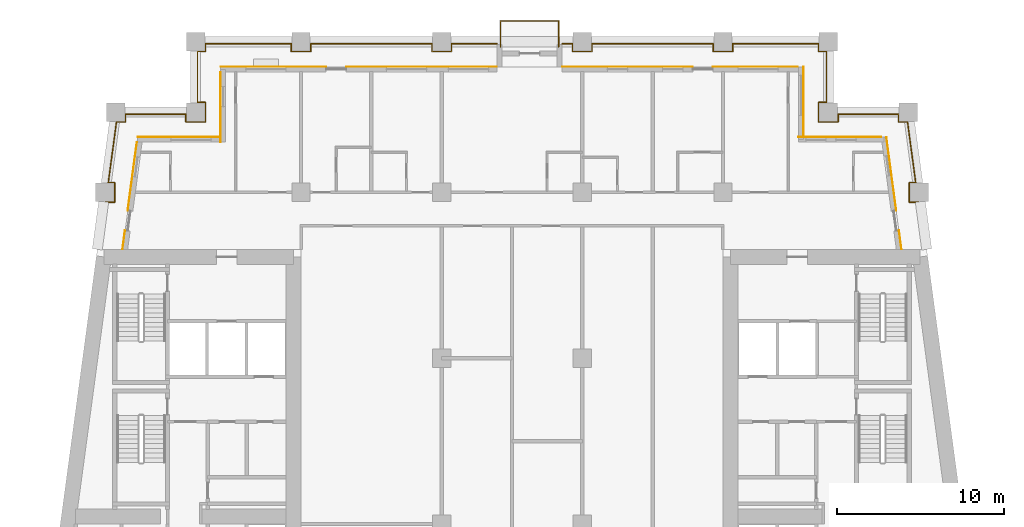
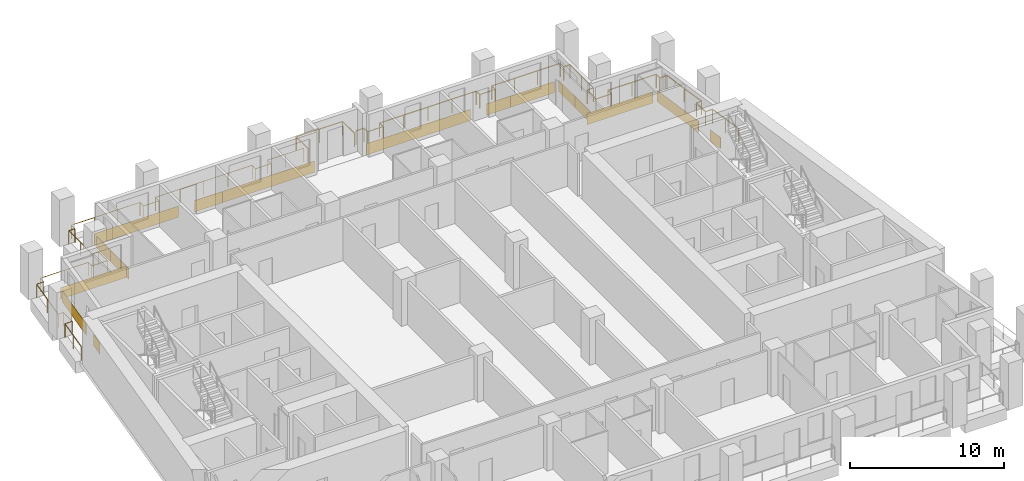
# One storey, part 12 of 13: 16 coverings, 3 railings.
"""IFC4 building model written with IfcOpenShell, lengths in metres."""

from ifc_helpers import new_model, si_unit, direction, frame, origin, origin_2d, place, context, subcontext, project, spatial, rectangle, circle, extrude, material, layer, layer_set, type_object, element, save


model = new_model("IFC4")

# Units and contexts
model_context = context("Model", 3, precision=1e-05, world=origin(), true_north=direction((0.0, 1.0)))
body_context = subcontext(model_context, "Body", "Model", "MODEL_VIEW")
ifc_project = project(units=[si_unit("LENGTHUNIT", "METRE"), si_unit("AREAUNIT", "SQUARE_METRE"), si_unit("VOLUMEUNIT", "CUBIC_METRE"), si_unit("PLANEANGLEUNIT", "RADIAN"), si_unit("MASSUNIT", "GRAM", prefix="KILO")], contexts=[model_context])

# Site, building, storey
site_placement = place(None, origin())
site = spatial("IfcSite", under=ifc_project, at=site_placement, CompositionType="ELEMENT")
building_placement = place(site_placement, origin())
building = spatial("IfcBuilding", under=site, at=building_placement, Name="Candeia Pilgrim Tower and Theatre", CompositionType="ELEMENT")
storey_placement = place(building_placement, frame((0.0, 0.0, 158.89990234375)))
storey = spatial("IfcBuildingStorey", under=building, at=storey_placement, Name="L37", CompositionType="ELEMENT", Elevation=158.89990234375)

# Railings
ifc_material_1 = material(Name="Stainless steel balustrade", Category="steel")
railing_type = type_object("IfcRailingType", Name="G1 loggia guard 1100", PredefinedType="GUARDRAIL", material=ifc_material_1)
railing_1_placement = place(storey_placement, frame((88.758544921875, 132.449951171875, 0.0)))
element("IfcRailing", 1, at=railing_1_placement, inside=storey, type_object=railing_type, Name="Guard L37.2", PredefinedType="GUARDRAIL", context=body_context, shape_type="SweptSolid", body=[
    extrude(circle(Radius=0.02392578125, at=origin_2d()), frame((0.0, 0.0, 1.076171875), z_axis=(0.133382313969, 0.991064659001, 0.0), x_axis=(-0.991064659001, 0.133382313969, 0.0)), (0.0, 0.0, 1.0), 2.794921875),
    extrude(circle(Radius=0.02392578125, at=origin_2d()), frame((0.372802734375, 2.77001953125, 1.076171875), z_axis=(1.0, 0.0, 0.0), x_axis=(0.0, 1.0, 0.0)), (0.0, 0.0, 1.0), 0.537109375),
    extrude(circle(Radius=0.02392578125, at=origin_2d()), frame((0.909912109375, 2.77001953125, 1.076171875), z_axis=(0.0, 1.0, 0.0), x_axis=(-1.0, 0.0, 0.0)), (0.0, 0.0, 1.0), 1.159912109375),
    extrude(circle(Radius=0.02392578125, at=origin_2d()), frame((0.909912109375, 3.929931640625, 1.076171875), z_axis=(-1.0, 0.0, 0.0), x_axis=(0.0, -1.0, 0.0)), (0.0, 0.0, 1.0), 0.380859375),
    extrude(circle(Radius=0.02392578125, at=origin_2d()), frame((0.529052734375, 3.929931640625, 1.076171875), z_axis=(0.133404479078, 0.99106167566, 0.0), x_axis=(-0.99106167566, 0.133404479078, 0.0)), (0.0, 0.0, 1.0), 3.6728515625),
    extrude(circle(Radius=0.02392578125, at=origin_2d()), frame((1.01904296875, 7.570068359375, 1.076171875), z_axis=(1.0, 0.0, 0.0), x_axis=(0.0, 1.0, 0.0)), (0.0, 0.0, 1.0), 0.537109375),
    extrude(circle(Radius=0.02392578125, at=origin_2d()), frame((1.55615234375, 7.570068359375, 1.076171875), z_axis=(0.0, 1.0, 0.0), x_axis=(-1.0, 0.0, 0.0)), (0.0, 0.0, 1.0), 0.4599609375),
    extrude(circle(Radius=0.02392578125, at=origin_2d()), frame((1.55615234375, 8.030029296875, 1.076171875), z_axis=(1.0, 0.0, 0.0), x_axis=(0.0, 1.0, 0.0)), (0.0, 0.0, 1.0), 3.605224609375),
    extrude(circle(Radius=0.02392578125, at=origin_2d()), frame((5.161376953125, 8.030029296875, 1.076171875), z_axis=(0.0, -1.0, 0.0), x_axis=(1.0, 0.0, 0.0)), (0.0, 0.0, 1.0), 0.4599609375),
    extrude(circle(Radius=0.02392578125, at=origin_2d()), frame((5.161376953125, 7.570068359375, 1.076171875), z_axis=(1.0, 0.0, 0.0), x_axis=(0.0, 1.0, 0.0)), (0.0, 0.0, 1.0), 1.16015625),
    extrude(circle(Radius=0.02392578125, at=origin_2d()), frame((6.321533203125, 7.570068359375, 1.076171875), z_axis=(0.0, 1.0, 0.0), x_axis=(-1.0, 0.0, 0.0)), (0.0, 0.0, 1.0), 1.159912109375),
    extrude(circle(Radius=0.02392578125, at=origin_2d()), frame((6.321533203125, 8.72998046875, 1.076171875), z_axis=(-1.0, 0.0, 0.0), x_axis=(0.0, -1.0, 0.0)), (0.0, 0.0, 1.0), 0.4599609375),
    extrude(circle(Radius=0.02392578125, at=origin_2d()), frame((5.861572265625, 8.72998046875, 1.076171875), z_axis=(0.0, 1.0, 0.0), x_axis=(-1.0, 0.0, 0.0)), (0.0, 0.0, 1.0), 3.0400390625),
    extrude(circle(Radius=0.02392578125, at=origin_2d()), frame((5.861572265625, 11.77001953125, 1.076171875), z_axis=(1.0, 0.0, 0.0), x_axis=(0.0, 1.0, 0.0)), (0.0, 0.0, 1.0), 0.4599609375),
    extrude(circle(Radius=0.02392578125, at=origin_2d()), frame((6.321533203125, 11.77001953125, 1.076171875), z_axis=(0.0, 1.0, 0.0), x_axis=(-1.0, 0.0, 0.0)), (0.0, 0.0, 1.0), 0.4599609375),
    extrude(circle(Radius=0.02392578125, at=origin_2d()), frame((6.321533203125, 12.22998046875, 1.076171875), z_axis=(1.0, 0.0, 0.0), x_axis=(0.0, 1.0, 0.0)), (0.0, 0.0, 1.0), 5.139892578125),
    extrude(circle(Radius=0.02392578125, at=origin_2d()), frame((11.46142578125, 12.22998046875, 1.076171875), z_axis=(0.0, -1.0, 0.0), x_axis=(1.0, 0.0, 0.0)), (0.0, 0.0, 1.0), 0.4599609375),
    extrude(circle(Radius=0.02392578125, at=origin_2d()), frame((11.46142578125, 11.77001953125, 1.076171875), z_axis=(1.0, 0.0, 0.0), x_axis=(0.0, 1.0, 0.0)), (0.0, 0.0, 1.0), 1.159912109375),
    extrude(circle(Radius=0.02392578125, at=origin_2d()), frame((12.621337890625, 11.77001953125, 1.076171875), z_axis=(0.0, 1.0, 0.0), x_axis=(-1.0, 0.0, 0.0)), (0.0, 0.0, 1.0), 0.4599609375),
    extrude(circle(Radius=0.02392578125, at=origin_2d()), frame((12.621337890625, 12.22998046875, 1.076171875), z_axis=(1.0, 0.0, 0.0), x_axis=(0.0, 1.0, 0.0)), (0.0, 0.0, 1.0), 7.240234375),
    extrude(circle(Radius=0.02392578125, at=origin_2d()), frame((19.861572265625, 12.22998046875, 1.076171875), z_axis=(0.0, -1.0, 0.0), x_axis=(1.0, 0.0, 0.0)), (0.0, 0.0, 1.0), 0.4599609375),
    extrude(circle(Radius=0.02392578125, at=origin_2d()), frame((19.861572265625, 11.77001953125, 1.076171875), z_axis=(1.0, 0.0, 0.0), x_axis=(0.0, 1.0, 0.0)), (0.0, 0.0, 1.0), 1.159912109375),
    extrude(circle(Radius=0.02392578125, at=origin_2d()), frame((21.021484375, 11.77001953125, 1.076171875), z_axis=(0.0, 1.0, 0.0), x_axis=(-1.0, 0.0, 0.0)), (0.0, 0.0, 1.0), 0.4599609375),
    extrude(circle(Radius=0.02392578125, at=origin_2d()), frame((21.021484375, 12.22998046875, 1.076171875), z_axis=(1.0, 0.0, 0.0), x_axis=(0.0, 1.0, 0.0)), (0.0, 0.0, 1.0), 2.719970703125),
    extrude(circle(Radius=0.02099609375, at=origin_2d()), origin(), (0.0, 0.0, 1.0), 1.052001953125),
    extrude(circle(Radius=0.02099609375, at=origin_2d()), frame((0.1865234375, 1.385009765625, 0.0)), (0.0, 0.0, 1.0), 1.052001953125),
    extrude(circle(Radius=0.02099609375, at=origin_2d()), frame((0.372802734375, 2.77001953125, 0.0)), (0.0, 0.0, 1.0), 1.052001953125),
    extrude(circle(Radius=0.02099609375, at=origin_2d()), frame((0.909912109375, 2.77001953125, 0.0)), (0.0, 0.0, 1.0), 1.052001953125),
    extrude(circle(Radius=0.02099609375, at=origin_2d()), frame((0.909912109375, 3.929931640625, 0.0)), (0.0, 0.0, 1.0), 1.052001953125),
    extrude(circle(Radius=0.02099609375, at=origin_2d()), frame((0.529052734375, 3.929931640625, 0.0)), (0.0, 0.0, 1.0), 1.052001953125),
    extrude(circle(Radius=0.02099609375, at=origin_2d()), frame((0.77392578125, 5.75, 0.0)), (0.0, 0.0, 1.0), 1.052001953125),
    extrude(circle(Radius=0.02099609375, at=origin_2d()), frame((1.01904296875, 7.570068359375, 0.0)), (0.0, 0.0, 1.0), 1.052001953125),
    extrude(circle(Radius=0.02099609375, at=origin_2d()), frame((1.55615234375, 7.570068359375, 0.0)), (0.0, 0.0, 1.0), 1.052001953125),
    extrude(circle(Radius=0.02099609375, at=origin_2d()), frame((1.55615234375, 8.030029296875, 0.0)), (0.0, 0.0, 1.0), 1.052001953125),
    extrude(circle(Radius=0.02099609375, at=origin_2d()), frame((3.35888671875, 8.030029296875, 0.0)), (0.0, 0.0, 1.0), 1.052001953125),
    extrude(circle(Radius=0.02099609375, at=origin_2d()), frame((5.161376953125, 8.030029296875, 0.0)), (0.0, 0.0, 1.0), 1.052001953125),
    extrude(circle(Radius=0.02099609375, at=origin_2d()), frame((5.161376953125, 7.570068359375, 0.0)), (0.0, 0.0, 1.0), 1.052001953125),
    extrude(circle(Radius=0.02099609375, at=origin_2d()), frame((6.321533203125, 7.570068359375, 0.0)), (0.0, 0.0, 1.0), 1.052001953125),
    extrude(circle(Radius=0.02099609375, at=origin_2d()), frame((6.321533203125, 8.72998046875, 0.0)), (0.0, 0.0, 1.0), 1.052001953125),
    extrude(circle(Radius=0.02099609375, at=origin_2d()), frame((5.861572265625, 8.72998046875, 0.0)), (0.0, 0.0, 1.0), 1.052001953125),
    extrude(circle(Radius=0.02099609375, at=origin_2d()), frame((5.861572265625, 10.25, 0.0)), (0.0, 0.0, 1.0), 1.052001953125),
    extrude(circle(Radius=0.02099609375, at=origin_2d()), frame((5.861572265625, 11.77001953125, 0.0)), (0.0, 0.0, 1.0), 1.052001953125),
    extrude(circle(Radius=0.02099609375, at=origin_2d()), frame((6.321533203125, 11.77001953125, 0.0)), (0.0, 0.0, 1.0), 1.052001953125),
    extrude(circle(Radius=0.02099609375, at=origin_2d()), frame((6.321533203125, 12.22998046875, 0.0)), (0.0, 0.0, 1.0), 1.052001953125),
    extrude(circle(Radius=0.02099609375, at=origin_2d()), frame((8.034912109375, 12.22998046875, 0.0)), (0.0, 0.0, 1.0), 1.052001953125),
    extrude(circle(Radius=0.02099609375, at=origin_2d()), frame((9.748046875, 12.22998046875, 0.0)), (0.0, 0.0, 1.0), 1.052001953125),
    extrude(circle(Radius=0.02099609375, at=origin_2d()), frame((11.46142578125, 12.22998046875, 0.0)), (0.0, 0.0, 1.0), 1.052001953125),
    extrude(circle(Radius=0.02099609375, at=origin_2d()), frame((11.46142578125, 11.77001953125, 0.0)), (0.0, 0.0, 1.0), 1.052001953125),
    extrude(circle(Radius=0.02099609375, at=origin_2d()), frame((12.621337890625, 11.77001953125, 0.0)), (0.0, 0.0, 1.0), 1.052001953125),
    extrude(circle(Radius=0.02099609375, at=origin_2d()), frame((12.621337890625, 12.22998046875, 0.0)), (0.0, 0.0, 1.0), 1.052001953125),
    extrude(circle(Radius=0.02099609375, at=origin_2d()), frame((14.431396484375, 12.22998046875, 0.0)), (0.0, 0.0, 1.0), 1.052001953125),
    extrude(circle(Radius=0.02099609375, at=origin_2d()), frame((16.241455078125, 12.22998046875, 0.0)), (0.0, 0.0, 1.0), 1.052001953125),
    extrude(circle(Radius=0.02099609375, at=origin_2d()), frame((18.051513671875, 12.22998046875, 0.0)), (0.0, 0.0, 1.0), 1.052001953125),
    extrude(circle(Radius=0.02099609375, at=origin_2d()), frame((19.861572265625, 12.22998046875, 0.0)), (0.0, 0.0, 1.0), 1.052001953125),
    extrude(circle(Radius=0.02099609375, at=origin_2d()), frame((19.861572265625, 11.77001953125, 0.0)), (0.0, 0.0, 1.0), 1.052001953125),
    extrude(circle(Radius=0.02099609375, at=origin_2d()), frame((21.021484375, 11.77001953125, 0.0)), (0.0, 0.0, 1.0), 1.052001953125),
    extrude(circle(Radius=0.02099609375, at=origin_2d()), frame((21.021484375, 12.22998046875, 0.0)), (0.0, 0.0, 1.0), 1.052001953125),
    extrude(circle(Radius=0.02099609375, at=origin_2d()), frame((22.38134765625, 12.22998046875, 0.0)), (0.0, 0.0, 1.0), 1.052001953125),
    extrude(circle(Radius=0.02099609375, at=origin_2d()), frame((23.741455078125, 12.22998046875, 0.0)), (0.0, 0.0, 1.0), 1.052001953125),
])
railing_2_placement = place(storey_placement, frame((116.39990234375, 144.679931640625, 0.0)))
element("IfcRailing", 2, at=railing_2_placement, inside=storey, type_object=railing_type, Name="Guard L37.3", PredefinedType="GUARDRAIL", context=body_context, shape_type="SweptSolid", body=[
    extrude(circle(Radius=0.02392578125, at=origin_2d()), frame((0.0, 0.0, 1.076171875), z_axis=(1.0, 0.0, 0.0), x_axis=(0.0, 1.0, 0.0)), (0.0, 0.0, 1.0), 0.6201171875),
    extrude(circle(Radius=0.02392578125, at=origin_2d()), frame((0.6201171875, 0.0, 1.076171875), z_axis=(0.0, -1.0, 0.0), x_axis=(1.0, 0.0, 0.0)), (0.0, 0.0, 1.0), 0.4599609375),
    extrude(circle(Radius=0.02392578125, at=origin_2d()), frame((0.6201171875, -0.4599609375, 1.076171875), z_axis=(1.0, 0.0, 0.0), x_axis=(0.0, 1.0, 0.0)), (0.0, 0.0, 1.0), 1.159912109375),
    extrude(circle(Radius=0.02392578125, at=origin_2d()), frame((1.780029296875, -0.4599609375, 1.076171875), z_axis=(0.0, 1.0, 0.0), x_axis=(-1.0, 0.0, 0.0)), (0.0, 0.0, 1.0), 0.4599609375),
    extrude(circle(Radius=0.02392578125, at=origin_2d()), frame((1.780029296875, 0.0, 1.076171875), z_axis=(1.0, 0.0, 0.0), x_axis=(0.0, 1.0, 0.0)), (0.0, 0.0, 1.0), 7.239990234375),
    extrude(circle(Radius=0.02392578125, at=origin_2d()), frame((9.02001953125, 0.0, 1.076171875), z_axis=(0.0, -1.0, 0.0), x_axis=(1.0, 0.0, 0.0)), (0.0, 0.0, 1.0), 0.4599609375),
    extrude(circle(Radius=0.02392578125, at=origin_2d()), frame((9.02001953125, -0.4599609375, 1.076171875), z_axis=(1.0, 0.0, 0.0), x_axis=(0.0, 1.0, 0.0)), (0.0, 0.0, 1.0), 1.16015625),
    extrude(circle(Radius=0.02392578125, at=origin_2d()), frame((10.18017578125, -0.4599609375, 1.076171875), z_axis=(0.0, 1.0, 0.0), x_axis=(-1.0, 0.0, 0.0)), (0.0, 0.0, 1.0), 0.4599609375),
    extrude(circle(Radius=0.02392578125, at=origin_2d()), frame((10.18017578125, 0.0, 1.076171875), z_axis=(1.0, 0.0, 0.0), x_axis=(0.0, 1.0, 0.0)), (0.0, 0.0, 1.0), 5.139892578125),
    extrude(circle(Radius=0.02392578125, at=origin_2d()), frame((15.320068359375, 0.0, 1.076171875), z_axis=(0.0, -1.0, 0.0), x_axis=(1.0, 0.0, 0.0)), (0.0, 0.0, 1.0), 0.4599609375),
    extrude(circle(Radius=0.02392578125, at=origin_2d()), frame((15.320068359375, -0.4599609375, 1.076171875), z_axis=(1.0, 0.0, 0.0), x_axis=(0.0, 1.0, 0.0)), (0.0, 0.0, 1.0), 0.4599609375),
    extrude(circle(Radius=0.02392578125, at=origin_2d()), frame((15.780029296875, -0.4599609375, 1.076171875), z_axis=(0.0, -1.0, 0.0), x_axis=(1.0, 0.0, 0.0)), (0.0, 0.0, 1.0), 3.0400390625),
    extrude(circle(Radius=0.02392578125, at=origin_2d()), frame((15.780029296875, -3.5, 1.076171875), z_axis=(-1.0, 0.0, 0.0), x_axis=(0.0, -1.0, 0.0)), (0.0, 0.0, 1.0), 0.4599609375),
    extrude(circle(Radius=0.02392578125, at=origin_2d()), frame((15.320068359375, -3.5, 1.076171875), z_axis=(0.0, -1.0, 0.0), x_axis=(1.0, 0.0, 0.0)), (0.0, 0.0, 1.0), 1.159912109375),
    extrude(circle(Radius=0.02392578125, at=origin_2d()), frame((15.320068359375, -4.659912109375, 1.076171875), z_axis=(1.0, 0.0, 0.0), x_axis=(0.0, 1.0, 0.0)), (0.0, 0.0, 1.0), 1.159912109375),
    extrude(circle(Radius=0.02392578125, at=origin_2d()), frame((16.47998046875, -4.659912109375, 1.076171875), z_axis=(0.0, 1.0, 0.0), x_axis=(-1.0, 0.0, 0.0)), (0.0, 0.0, 1.0), 0.4599609375),
    extrude(circle(Radius=0.02392578125, at=origin_2d()), frame((16.47998046875, -4.199951171875, 1.076171875), z_axis=(1.0, 0.0, 0.0), x_axis=(0.0, 1.0, 0.0)), (0.0, 0.0, 1.0), 3.60546875),
    extrude(circle(Radius=0.02392578125, at=origin_2d()), frame((20.08544921875, -4.199951171875, 1.076171875), z_axis=(0.0, -1.0, 0.0), x_axis=(1.0, 0.0, 0.0)), (0.0, 0.0, 1.0), 0.4599609375),
    extrude(circle(Radius=0.02392578125, at=origin_2d()), frame((20.08544921875, -4.659912109375, 1.076171875), z_axis=(1.0, 0.0, 0.0), x_axis=(0.0, 1.0, 0.0)), (0.0, 0.0, 1.0), 0.537109375),
    extrude(circle(Radius=0.02392578125, at=origin_2d()), frame((20.62255859375, -4.659912109375, 1.076171875), z_axis=(0.133404479078, -0.99106167566, 0.0), x_axis=(0.99106167566, 0.133404479078, 0.0)), (0.0, 0.0, 1.0), 3.6728515625),
    extrude(circle(Radius=0.02392578125, at=origin_2d()), frame((21.112548828125, -8.300048828125, 1.076171875), z_axis=(-1.0, 0.0, 0.0), x_axis=(0.0, -1.0, 0.0)), (0.0, 0.0, 1.0), 0.380859375),
    extrude(circle(Radius=0.02392578125, at=origin_2d()), frame((20.731689453125, -8.300048828125, 1.076171875), z_axis=(0.0, -1.0, 0.0), x_axis=(1.0, 0.0, 0.0)), (0.0, 0.0, 1.0), 1.159912109375),
    extrude(circle(Radius=0.02392578125, at=origin_2d()), frame((20.731689453125, -9.4599609375, 1.076171875), z_axis=(1.0, 0.0, 0.0), x_axis=(0.0, 1.0, 0.0)), (0.0, 0.0, 1.0), 0.536865234375),
    extrude(circle(Radius=0.02392578125, at=origin_2d()), frame((21.2685546875, -9.4599609375, 1.076171875), z_axis=(0.133468107709, -0.99105310868, 0.0), x_axis=(0.99105310868, 0.133468107709, 0.0)), (0.0, 0.0, 1.0), 2.794921875),
    extrude(circle(Radius=0.02099609375, at=origin_2d()), origin(), (0.0, 0.0, 1.0), 1.052001953125),
    extrude(circle(Radius=0.02099609375, at=origin_2d()), frame((0.6201171875, 0.0, 0.0)), (0.0, 0.0, 1.0), 1.052001953125),
    extrude(circle(Radius=0.02099609375, at=origin_2d()), frame((0.6201171875, -0.4599609375, 0.0)), (0.0, 0.0, 1.0), 1.052001953125),
    extrude(circle(Radius=0.02099609375, at=origin_2d()), frame((1.780029296875, -0.4599609375, 0.0)), (0.0, 0.0, 1.0), 1.052001953125),
    extrude(circle(Radius=0.02099609375, at=origin_2d()), frame((1.780029296875, 0.0, 0.0)), (0.0, 0.0, 1.0), 1.052001953125),
    extrude(circle(Radius=0.02099609375, at=origin_2d()), frame((3.590087890625, 0.0, 0.0)), (0.0, 0.0, 1.0), 1.052001953125),
    extrude(circle(Radius=0.02099609375, at=origin_2d()), frame((5.39990234375, 0.0, 0.0)), (0.0, 0.0, 1.0), 1.052001953125),
    extrude(circle(Radius=0.02099609375, at=origin_2d()), frame((7.2099609375, 0.0, 0.0)), (0.0, 0.0, 1.0), 1.052001953125),
    extrude(circle(Radius=0.02099609375, at=origin_2d()), frame((9.02001953125, 0.0, 0.0)), (0.0, 0.0, 1.0), 1.052001953125),
    extrude(circle(Radius=0.02099609375, at=origin_2d()), frame((9.02001953125, -0.4599609375, 0.0)), (0.0, 0.0, 1.0), 1.052001953125),
    extrude(circle(Radius=0.02099609375, at=origin_2d()), frame((10.18017578125, -0.4599609375, 0.0)), (0.0, 0.0, 1.0), 1.052001953125),
    extrude(circle(Radius=0.02099609375, at=origin_2d()), frame((10.18017578125, 0.0, 0.0)), (0.0, 0.0, 1.0), 1.052001953125),
    extrude(circle(Radius=0.02099609375, at=origin_2d()), frame((11.8935546875, 0.0, 0.0)), (0.0, 0.0, 1.0), 1.052001953125),
    extrude(circle(Radius=0.02099609375, at=origin_2d()), frame((13.606689453125, 0.0, 0.0)), (0.0, 0.0, 1.0), 1.052001953125),
    extrude(circle(Radius=0.02099609375, at=origin_2d()), frame((15.320068359375, 0.0, 0.0)), (0.0, 0.0, 1.0), 1.052001953125),
    extrude(circle(Radius=0.02099609375, at=origin_2d()), frame((15.320068359375, -0.4599609375, 0.0)), (0.0, 0.0, 1.0), 1.052001953125),
    extrude(circle(Radius=0.02099609375, at=origin_2d()), frame((15.780029296875, -0.4599609375, 0.0)), (0.0, 0.0, 1.0), 1.052001953125),
    extrude(circle(Radius=0.02099609375, at=origin_2d()), frame((15.780029296875, -1.97998046875, 0.0)), (0.0, 0.0, 1.0), 1.052001953125),
    extrude(circle(Radius=0.02099609375, at=origin_2d()), frame((15.780029296875, -3.5, 0.0)), (0.0, 0.0, 1.0), 1.052001953125),
    extrude(circle(Radius=0.02099609375, at=origin_2d()), frame((15.320068359375, -3.5, 0.0)), (0.0, 0.0, 1.0), 1.052001953125),
    extrude(circle(Radius=0.02099609375, at=origin_2d()), frame((15.320068359375, -4.659912109375, 0.0)), (0.0, 0.0, 1.0), 1.052001953125),
    extrude(circle(Radius=0.02099609375, at=origin_2d()), frame((16.47998046875, -4.659912109375, 0.0)), (0.0, 0.0, 1.0), 1.052001953125),
    extrude(circle(Radius=0.02099609375, at=origin_2d()), frame((16.47998046875, -4.199951171875, 0.0)), (0.0, 0.0, 1.0), 1.052001953125),
    extrude(circle(Radius=0.02099609375, at=origin_2d()), frame((18.28271484375, -4.199951171875, 0.0)), (0.0, 0.0, 1.0), 1.052001953125),
    extrude(circle(Radius=0.02099609375, at=origin_2d()), frame((20.08544921875, -4.199951171875, 0.0)), (0.0, 0.0, 1.0), 1.052001953125),
    extrude(circle(Radius=0.02099609375, at=origin_2d()), frame((20.08544921875, -4.659912109375, 0.0)), (0.0, 0.0, 1.0), 1.052001953125),
    extrude(circle(Radius=0.02099609375, at=origin_2d()), frame((20.62255859375, -4.659912109375, 0.0)), (0.0, 0.0, 1.0), 1.052001953125),
    extrude(circle(Radius=0.02099609375, at=origin_2d()), frame((20.86767578125, -6.47998046875, 0.0)), (0.0, 0.0, 1.0), 1.052001953125),
    extrude(circle(Radius=0.02099609375, at=origin_2d()), frame((21.112548828125, -8.300048828125, 0.0)), (0.0, 0.0, 1.0), 1.052001953125),
    extrude(circle(Radius=0.02099609375, at=origin_2d()), frame((20.731689453125, -8.300048828125, 0.0)), (0.0, 0.0, 1.0), 1.052001953125),
    extrude(circle(Radius=0.02099609375, at=origin_2d()), frame((20.731689453125, -9.4599609375, 0.0)), (0.0, 0.0, 1.0), 1.052001953125),
    extrude(circle(Radius=0.02099609375, at=origin_2d()), frame((21.2685546875, -9.4599609375, 0.0)), (0.0, 0.0, 1.0), 1.052001953125),
    extrude(circle(Radius=0.02099609375, at=origin_2d()), frame((21.455078125, -10.844970703125, 0.0)), (0.0, 0.0, 1.0), 1.052001953125),
    extrude(circle(Radius=0.02099609375, at=origin_2d()), frame((21.6416015625, -12.22998046875, 0.0)), (0.0, 0.0, 1.0), 1.052001953125),
])
railing_3_placement = place(storey_placement, frame((112.7099609375, 144.5, 0.0)))
element("IfcRailing", 3, at=railing_3_placement, inside=storey, type_object=railing_type, Name="Balcony guard L37", PredefinedType="GUARDRAIL", context=body_context, shape_type="SweptSolid", body=[
    extrude(circle(Radius=0.02392578125, at=origin_2d()), frame((0.0, 0.0, 1.076171875), z_axis=(0.0, 1.0, 0.0), x_axis=(-1.0, 0.0, 0.0)), (0.0, 0.0, 1.0), 1.5400390625),
    extrude(circle(Radius=0.02392578125, at=origin_2d()), frame((0.0, 1.5400390625, 1.076171875), z_axis=(1.0, 0.0, 0.0), x_axis=(0.0, 1.0, 0.0)), (0.0, 0.0, 1.0), 3.47998046875),
    extrude(circle(Radius=0.02392578125, at=origin_2d()), frame((3.47998046875, 1.5400390625, 1.076171875), z_axis=(0.0, -1.0, 0.0), x_axis=(1.0, 0.0, 0.0)), (0.0, 0.0, 1.0), 1.5400390625),
    extrude(circle(Radius=0.02099609375, at=origin_2d()), origin(), (0.0, 0.0, 1.0), 1.052001953125),
    extrude(circle(Radius=0.02099609375, at=origin_2d()), frame((0.0, 1.5400390625, 0.0)), (0.0, 0.0, 1.0), 1.052001953125),
    extrude(circle(Radius=0.02099609375, at=origin_2d()), frame((1.739990234375, 1.5400390625, 0.0)), (0.0, 0.0, 1.0), 1.052001953125),
    extrude(circle(Radius=0.02099609375, at=origin_2d()), frame((3.47998046875, 1.5400390625, 0.0)), (0.0, 0.0, 1.0), 1.052001953125),
    extrude(circle(Radius=0.02099609375, at=origin_2d()), frame((3.47998046875, 0.0, 0.0)), (0.0, 0.0, 1.0), 1.052001953125),
])

# Coverings
ifc_material_2 = material(Name="Glazed ceramic tile red")
ifc_layer_1 = layer(ifc_material_2, 0.02001953125)
ifc_layer_set_1 = layer_set([ifc_layer_1], Name="Glazed ceramic tile red")
covering_type_1 = type_object("IfcCoveringType", Name="Glazed ceramic tile red", PredefinedType="CLADDING", material=ifc_layer_set_1)
covering_1_placement = place(storey_placement, frame((136.588623046875, 132.97412109375, 0.000244140625), z_axis=(0.0, 0.0, 1.0), x_axis=(-0.133412012145, 0.991060661622, 0.0)))
element("IfcCovering", 4, at=covering_1_placement, inside=storey, type_object=covering_type_1, Name="Tile cladding red L37", PredefinedType="CLADDING", context=body_context, shape_type="SweptSolid", body=[
    extrude(rectangle(XDim=1.115234375, YDim=0.02001953125, at=origin_2d()), origin(), (0.0, 0.0, 1.0), 0.89990234375),
])
covering_2_placement = place(storey_placement, frame((136.058837890625, 136.90869140625, 0.000244140625), z_axis=(0.0, 0.0, 1.0), x_axis=(-0.133412012145, 0.991060661622, 0.0)))
element("IfcCovering", 5, at=covering_2_placement, inside=storey, type_object=covering_type_1, Name="Tile cladding red L37", PredefinedType="CLADDING", context=body_context, shape_type="SweptSolid", body=[
    extrude(rectangle(XDim=4.4248046875, YDim=0.02001953125, at=origin_2d()), origin(), (0.0, 0.0, 1.0), 0.89990234375),
])
covering_3_placement = place(storey_placement, frame((130.81005859375, 140.159912109375, 0.000244140625), z_axis=(0.0, 0.0, 1.0), x_axis=(0.0, 1.0, 0.0)))
element("IfcCovering", 6, at=covering_3_placement, inside=storey, type_object=covering_type_1, Name="Tile cladding red L37", PredefinedType="CLADDING", context=body_context, shape_type="SweptSolid", body=[
    extrude(rectangle(XDim=2.080078125, YDim=0.02001953125, at=origin_2d()), origin(), (0.0, 0.0, 1.0), 0.89990234375),
])
covering_4_placement = place(storey_placement, frame((126.300048828125, 143.31005859375, 0.000244140625), z_axis=(0.0, 0.0, 1.0), x_axis=(-1.0, 0.0, 0.0)))
element("IfcCovering", 7, at=covering_4_placement, inside=storey, type_object=covering_type_1, Name="Tile cladding red L37", PredefinedType="CLADDING", context=body_context, shape_type="SweptSolid", body=[
    extrude(rectangle(XDim=1.800048828125, YDim=0.02001953125, at=origin_2d()), origin(), (0.0, 0.0, 1.0), 0.89990234375),
])
covering_5_placement = place(storey_placement, frame((120.300048828125, 143.31005859375, 0.000244140625), z_axis=(0.0, 0.0, 1.0), x_axis=(-1.0, 0.0, 0.0)))
element("IfcCovering", 8, at=covering_5_placement, inside=storey, type_object=covering_type_1, Name="Tile cladding red L37", PredefinedType="CLADDING", context=body_context, shape_type="SweptSolid", body=[
    extrude(rectangle(XDim=7.800048828125, YDim=0.02001953125, at=origin_2d()), origin(), (0.0, 0.0, 1.0), 0.89990234375),
])
covering_6_placement = place(storey_placement, frame((109.050048828125, 143.31005859375, 0.000244140625), z_axis=(0.0, 0.0, 1.0), x_axis=(-1.0, 0.0, 0.0)))
element("IfcCovering", 9, at=covering_6_placement, inside=storey, type_object=covering_type_1, Name="Tile cladding red L37", PredefinedType="CLADDING", context=body_context, shape_type="SweptSolid", body=[
    extrude(rectangle(XDim=6.89990234375, YDim=0.02001953125, at=origin_2d()), origin(), (0.0, 0.0, 1.0), 0.89990234375),
])
covering_7_placement = place(storey_placement, frame((95.989990234375, 140.0, 0.000244140625), z_axis=(0.0, 0.0, 1.0), x_axis=(0.0, -1.0, 0.0)))
element("IfcCovering", 10, at=covering_7_placement, inside=storey, type_object=covering_type_1, Name="Tile cladding red L37", PredefinedType="CLADDING", context=body_context, shape_type="SweptSolid", body=[
    extrude(rectangle(XDim=2.39990234375, YDim=0.02001953125, at=origin_2d()), origin(), (0.0, 0.0, 1.0), 0.89990234375),
])
covering_8_placement = place(storey_placement, frame((90.720947265625, 136.759521484375, 0.000244140625), z_axis=(0.0, 0.0, 1.0), x_axis=(-0.133412012145, -0.991060661622, 0.0)))
element("IfcCovering", 11, at=covering_8_placement, inside=storey, type_object=covering_type_1, Name="Tile cladding red L37", PredefinedType="CLADDING", context=body_context, shape_type="SweptSolid", body=[
    extrude(rectangle(XDim=4.123779296875, YDim=0.02001953125, at=origin_2d()), origin(), (0.0, 0.0, 1.0), 0.89990234375),
])
covering_9_placement = place(storey_placement, frame((90.21142578125, 132.97412109375, 0.000244140625), z_axis=(0.0, 0.0, 1.0), x_axis=(-0.133412012145, -0.991060661622, 0.0)))
element("IfcCovering", 12, at=covering_9_placement, inside=storey, type_object=covering_type_1, Name="Tile cladding red L37", PredefinedType="CLADDING", context=body_context, shape_type="SweptSolid", body=[
    extrude(rectangle(XDim=1.115234375, YDim=0.02001953125, at=origin_2d()), origin(), (0.0, 0.0, 1.0), 0.89990234375),
])
ifc_material_3 = material(Name="Glazed ceramic tile rust")
ifc_layer_2 = layer(ifc_material_3, 0.02001953125)
ifc_layer_set_2 = layer_set([ifc_layer_2], Name="Glazed ceramic tile rust")
covering_type_2 = type_object("IfcCoveringType", Name="Glazed ceramic tile rust", PredefinedType="CLADDING", material=ifc_layer_set_2)
covering_10_placement = place(storey_placement, frame((132.976318359375, 139.110107421875, 0.000244140625), z_axis=(0.0, 0.0, 1.0), x_axis=(-1.0, 0.0, 0.0)))
element("IfcCovering", 13, at=covering_10_placement, inside=storey, type_object=covering_type_2, Name="Tile cladding rust L37", PredefinedType="CLADDING", context=body_context, shape_type="SweptSolid", body=[
    extrude(rectangle(XDim=4.95263671875, YDim=0.02001953125, at=origin_2d()), origin(), (0.0, 0.0, 1.0), 0.89990234375),
])
covering_11_placement = place(storey_placement, frame((130.81005859375, 142.25, 0.000244140625), z_axis=(0.0, 0.0, 1.0), x_axis=(0.0, 1.0, 0.0)))
element("IfcCovering", 14, at=covering_11_placement, inside=storey, type_object=covering_type_2, Name="Tile cladding rust L37", PredefinedType="CLADDING", context=body_context, shape_type="SweptSolid", body=[
    extrude(rectangle(XDim=2.10009765625, YDim=0.02001953125, at=origin_2d()), origin(), (0.0, 0.0, 1.0), 0.89990234375),
])
covering_12_placement = place(storey_placement, frame((128.840087890625, 143.31005859375, 0.000244140625), z_axis=(0.0, 0.0, 1.0), x_axis=(-1.0, 0.0, 0.0)))
element("IfcCovering", 15, at=covering_12_placement, inside=storey, type_object=covering_type_2, Name="Tile cladding rust L37", PredefinedType="CLADDING", context=body_context, shape_type="SweptSolid", body=[
    extrude(rectangle(XDim=3.280029296875, YDim=0.02001953125, at=origin_2d()), origin(), (0.0, 0.0, 1.0), 0.89990234375),
])
covering_13_placement = place(storey_placement, frame((104.550048828125, 143.31005859375, 0.000244140625), z_axis=(0.0, 0.0, 1.0), x_axis=(-1.0, 0.0, 0.0)))
element("IfcCovering", 16, at=covering_13_placement, inside=storey, type_object=covering_type_2, Name="Tile cladding rust L37", PredefinedType="CLADDING", context=body_context, shape_type="SweptSolid", body=[
    extrude(rectangle(XDim=2.10009765625, YDim=0.02001953125, at=origin_2d()), origin(), (0.0, 0.0, 1.0), 0.89990234375),
])
covering_14_placement = place(storey_placement, frame((99.14990234375, 143.31005859375, 0.000244140625), z_axis=(0.0, 0.0, 1.0), x_axis=(-1.0, 0.0, 0.0)))
element("IfcCovering", 17, at=covering_14_placement, inside=storey, type_object=covering_type_2, Name="Tile cladding rust L37", PredefinedType="CLADDING", context=body_context, shape_type="SweptSolid", body=[
    extrude(rectangle(XDim=6.300048828125, YDim=0.02001953125, at=origin_2d()), origin(), (0.0, 0.0, 1.0), 0.89990234375),
])
covering_15_placement = place(storey_placement, frame((95.989990234375, 142.090087890625, 0.000244140625), z_axis=(0.0, 0.0, 1.0), x_axis=(0.0, -1.0, 0.0)))
element("IfcCovering", 18, at=covering_15_placement, inside=storey, type_object=covering_type_2, Name="Tile cladding rust L37", PredefinedType="CLADDING", context=body_context, shape_type="SweptSolid", body=[
    extrude(rectangle(XDim=1.780029296875, YDim=0.02001953125, at=origin_2d()), origin(), (0.0, 0.0, 1.0), 0.89990234375),
])
covering_16_placement = place(storey_placement, frame((93.51318359375, 139.110107421875, 0.000244140625), z_axis=(0.0, 0.0, 1.0), x_axis=(-1.0, 0.0, 0.0)))
element("IfcCovering", 19, at=covering_16_placement, inside=storey, type_object=covering_type_2, Name="Tile cladding rust L37", PredefinedType="CLADDING", context=body_context, shape_type="SweptSolid", body=[
    extrude(rectangle(XDim=4.933837890625, YDim=0.02001953125, at=origin_2d()), origin(), (0.0, 0.0, 1.0), 0.89990234375),
])

save(model, "model.ifc")
